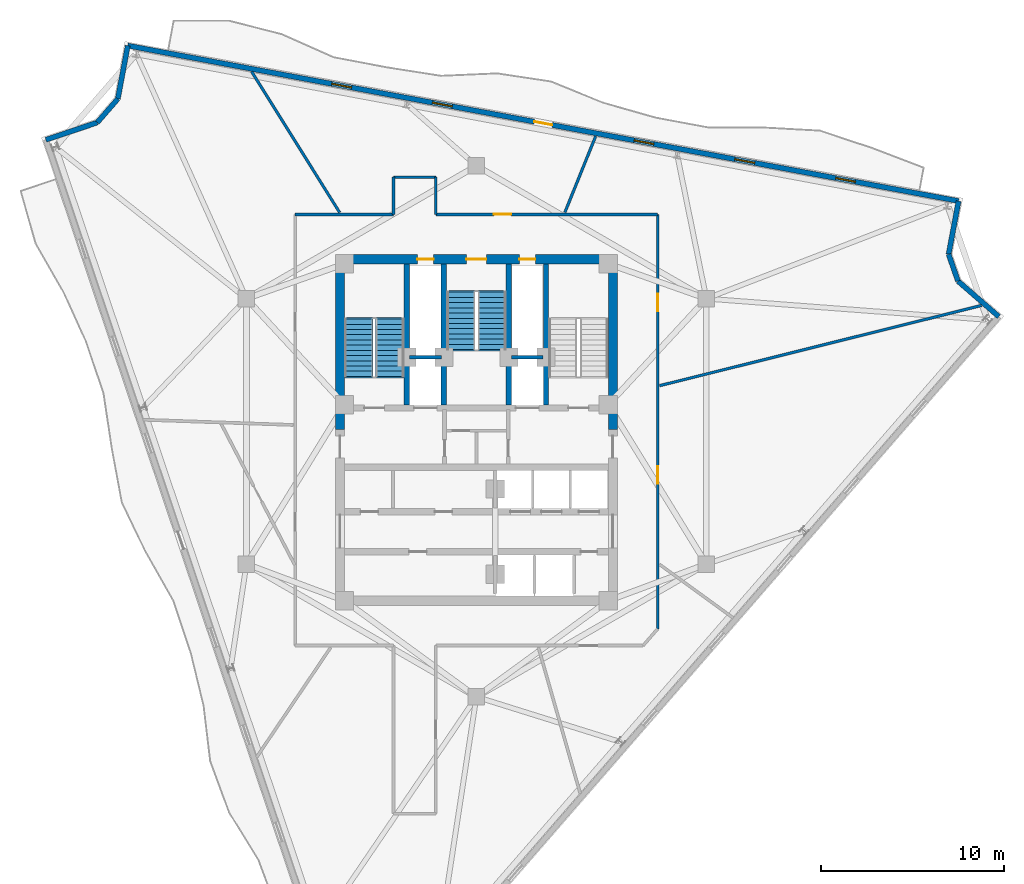
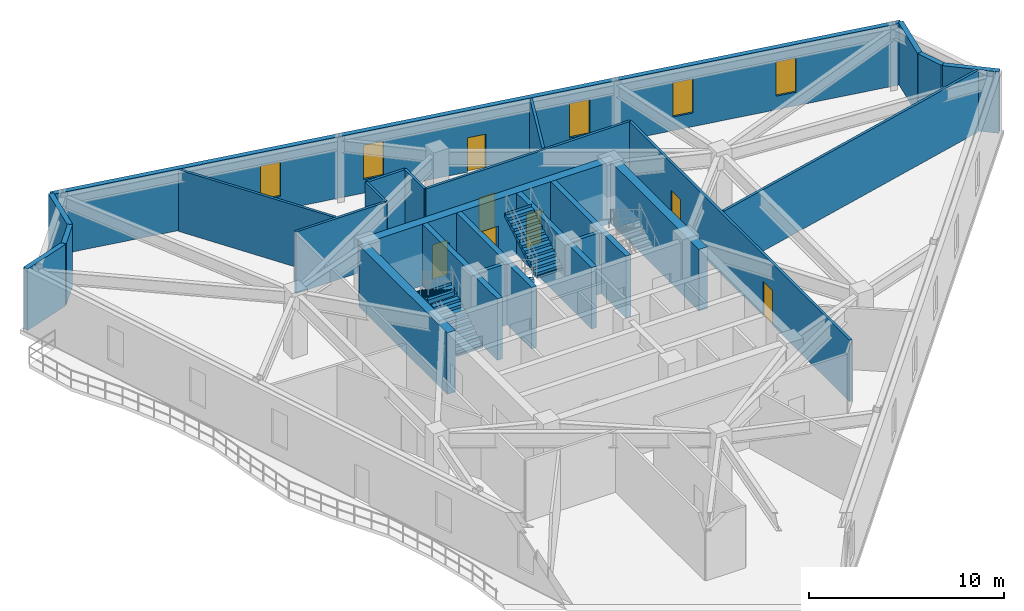
# One storey, part 6 of 9: 25 walls, 7 doors, 5 windows, 4 stair flights, 12 openings, 2 elements without a shape of their own.
"""IFC4 building model written with IfcOpenShell, lengths in metres."""

from ifc_helpers import new_model, si_unit, direction, frame, frame_2d, origin, place, context, subcontext, project, spatial, polyline, rectangle, outline, extrude, material, layer, layer_set, type_object, element, fill, aggregate, save


model = new_model("IFC4")

# Units and contexts
model_context = context("Model", 3, precision=1e-05, world=origin(), true_north=direction((0.0, 1.0)))
body_context = subcontext(model_context, "Body", "Model", "MODEL_VIEW")
ifc_project = project(units=[si_unit("LENGTHUNIT", "METRE"), si_unit("AREAUNIT", "SQUARE_METRE"), si_unit("VOLUMEUNIT", "CUBIC_METRE"), si_unit("PLANEANGLEUNIT", "RADIAN"), si_unit("MASSUNIT", "GRAM", prefix="KILO")], contexts=[model_context])

# Site, building, storey
site_placement = place(None, origin())
site = spatial("IfcSite", under=ifc_project, at=site_placement, CompositionType="ELEMENT")
building_placement = place(site_placement, origin())
building = spatial("IfcBuilding", under=site, at=building_placement, Name="Apsidion Concourse Tower", CompositionType="ELEMENT")
storey_placement = place(building_placement, frame((0.0, 0.0, 277.800048828125)))
storey = spatial("IfcBuildingStorey", under=building, at=storey_placement, Name="L65", CompositionType="ELEMENT", Elevation=277.800048828125)

# Wall, openings, door, windows
ifc_material_1 = material(Name="Precast concrete C40/50", Category="concrete")
ifc_layer_1 = layer(ifc_material_1, 0.280029296875)
ifc_layer_set_1 = layer_set([ifc_layer_1], Name="Precast concrete C40/50")
wall_type_1 = type_object("IfcWallType", Name="WL-EXT-280", PredefinedType="STANDARD", material=ifc_layer_set_1)
wall_1_placement = place(storey_placement, frame((-19.04150390625, 21.06640625, 0.0), z_axis=(0.0, 0.0, 1.0), x_axis=(0.982948140881, -0.183882985453, 0.0)))
wall_1 = element("IfcWall", 1, at=wall_1_placement, inside=storey, type_object=wall_type_1, Name="L65 Precast Stone Facade Wall 01", PredefinedType="STANDARD", context=body_context, shape_type="SweptSolid", body=[
    extrude(rectangle(XDim=46.16259765625, YDim=0.280029296875, at=frame_2d((23.081298828125, 0.0))), origin(), (0.0, 0.0, 1.0), 3.849853515625),
])
opening_1_placement = place(wall_1_placement, frame((22.581298828125, 0.0, 0.0)))
opening_1 = element("IfcOpeningElement", 2, at=opening_1_placement, cuts=wall_1, Name="Opening D-T1R", PredefinedType="OPENING", context=body_context, shape_type="SweptSolid", body=[
    extrude(rectangle(XDim=1.0, YDim=2.14990234375, at=frame_2d((0.5, 1.074951171875))), frame((0.0, 0.14990234375, 0.0), z_axis=(0.0, -1.0, 0.0), x_axis=(1.0, 0.0, 0.0)), (0.0, 0.0, 1.0), 0.300048828125),
])
opening_2_placement = place(wall_1_placement, frame((11.331298828125, 0.0, 0.85009765625)))
opening_2 = element("IfcOpeningElement", 3, at=opening_2_placement, cuts=wall_1, Name="Opening WN-07", PredefinedType="OPENING", context=body_context, shape_type="SweptSolid", body=[
    extrude(rectangle(XDim=1.10009765625, YDim=2.14990234375, at=frame_2d((0.550048828125, 1.074951171875))), frame((0.0, 0.14990234375, 0.0), z_axis=(0.0, -1.0, 0.0), x_axis=(1.0, 0.0, 0.0)), (0.0, 0.0, 1.0), 0.300048828125),
])
opening_3_placement = place(wall_1_placement, frame((16.931396484375, 0.0, 0.85009765625)))
opening_3 = element("IfcOpeningElement", 4, at=opening_3_placement, cuts=wall_1, Name="Opening WN-07", PredefinedType="OPENING", context=body_context, shape_type="SweptSolid", body=[
    extrude(rectangle(XDim=1.10009765625, YDim=2.14990234375, at=frame_2d((0.550048828125, 1.074951171875))), frame((0.0, 0.14990234375, 0.0), z_axis=(0.0, -1.0, 0.0), x_axis=(1.0, 0.0, 0.0)), (0.0, 0.0, 1.0), 0.300048828125),
])
opening_4_placement = place(wall_1_placement, frame((28.13134765625, 0.0, 0.85009765625)))
opening_4 = element("IfcOpeningElement", 5, at=opening_4_placement, cuts=wall_1, Name="Opening WN-07", PredefinedType="OPENING", context=body_context, shape_type="SweptSolid", body=[
    extrude(rectangle(XDim=1.10009765625, YDim=2.14990234375, at=frame_2d((0.550048828125, 1.074951171875))), frame((0.0, 0.14990234375, 0.0), z_axis=(0.0, -1.0, 0.0), x_axis=(1.0, 0.0, 0.0)), (0.0, 0.0, 1.0), 0.300048828125),
])
opening_5_placement = place(wall_1_placement, frame((33.731201171875, 0.0, 0.85009765625)))
opening_5 = element("IfcOpeningElement", 6, at=opening_5_placement, cuts=wall_1, Name="Opening WN-07", PredefinedType="OPENING", context=body_context, shape_type="SweptSolid", body=[
    extrude(rectangle(XDim=1.10009765625, YDim=2.14990234375, at=frame_2d((0.550048828125, 1.074951171875))), frame((0.0, 0.14990234375, 0.0), z_axis=(0.0, -1.0, 0.0), x_axis=(1.0, 0.0, 0.0)), (0.0, 0.0, 1.0), 0.300048828125),
])
opening_6_placement = place(wall_1_placement, frame((39.331298828125, 0.0, 0.85009765625)))
opening_6 = element("IfcOpeningElement", 7, at=opening_6_placement, cuts=wall_1, Name="Opening WN-07", PredefinedType="OPENING", context=body_context, shape_type="SweptSolid", body=[
    extrude(rectangle(XDim=1.10009765625, YDim=2.14990234375, at=frame_2d((0.550048828125, 1.074951171875))), frame((0.0, 0.14990234375, 0.0), z_axis=(0.0, -1.0, 0.0), x_axis=(1.0, 0.0, 0.0)), (0.0, 0.0, 1.0), 0.300048828125),
])
ifc_material_2 = material(Name="Anodised aluminium EN AW-6063 T6", Category="aluminium")
door_type_1 = type_object("IfcDoorType", Name="DR-TER-1022R", OperationType="SINGLE_SWING_RIGHT", PredefinedType="DOOR", material=ifc_material_2)
door_1_placement = place(opening_1_placement, origin())
door_1 = element("IfcDoor", 8, at=door_1_placement, inside=storey, type_object=door_type_1, Name="L65 Balcony Access Door 1", OperationType="SINGLE_SWING_RIGHT", OverallHeight=2.14990234375, OverallWidth=1.0, PredefinedType="DOOR", context=body_context, shape_type="SweptSolid", body=[
    extrude(rectangle(XDim=1.0, YDim=2.14990234375, at=frame_2d((0.5, 1.074951171875))), frame((0.0, 0.02490234375, 0.0), z_axis=(0.0, -1.0, 0.0), x_axis=(1.0, 0.0, 0.0)), (0.0, 0.0, 1.0), 0.050048828125),
])
fill(opening_1, door_1)
ifc_material_3 = material(Name="Insulated laminated low-E glass", Category="glass")
window_type = type_object("IfcWindowType", Name="WN-OFF-1123", PartitioningType="SINGLE_PANEL", PredefinedType="WINDOW", material=ifc_material_3)
window_1_placement = place(opening_2_placement, origin())
window_1 = element("IfcWindow", 9, at=window_1_placement, inside=storey, type_object=window_type, Name="L65 Punched Facade Window 1-02", OverallHeight=2.14990234375, OverallWidth=1.10009765625, PartitioningType="SINGLE_PANEL", PredefinedType="WINDOW", context=body_context, shape_type="SweptSolid", body=[
    extrude(rectangle(XDim=1.10009765625, YDim=2.14990234375, at=frame_2d((0.550048828125, 1.074951171875))), frame((0.0, 0.030029296875, 0.0), z_axis=(0.0, -1.0, 0.0), x_axis=(1.0, 0.0, 0.0)), (0.0, 0.0, 1.0), 0.06005859375),
])
fill(opening_2, window_1)
window_2_placement = place(opening_3_placement, origin())
window_2 = element("IfcWindow", 10, at=window_2_placement, inside=storey, type_object=window_type, Name="L65 Punched Facade Window 1-03", OverallHeight=2.14990234375, OverallWidth=1.10009765625, PartitioningType="SINGLE_PANEL", PredefinedType="WINDOW", context=body_context, shape_type="SweptSolid", body=[
    extrude(rectangle(XDim=1.10009765625, YDim=2.14990234375, at=frame_2d((0.550048828125, 1.074951171875))), frame((0.0, 0.030029296875, 0.0), z_axis=(0.0, -1.0, 0.0), x_axis=(1.0, 0.0, 0.0)), (0.0, 0.0, 1.0), 0.06005859375),
])
fill(opening_3, window_2)
window_3_placement = place(opening_4_placement, origin())
window_3 = element("IfcWindow", 11, at=window_3_placement, inside=storey, type_object=window_type, Name="L65 Punched Facade Window 1-05", OverallHeight=2.14990234375, OverallWidth=1.10009765625, PartitioningType="SINGLE_PANEL", PredefinedType="WINDOW", context=body_context, shape_type="SweptSolid", body=[
    extrude(rectangle(XDim=1.10009765625, YDim=2.14990234375, at=frame_2d((0.550048828125, 1.074951171875))), frame((0.0, 0.030029296875, 0.0), z_axis=(0.0, -1.0, 0.0), x_axis=(1.0, 0.0, 0.0)), (0.0, 0.0, 1.0), 0.06005859375),
])
fill(opening_4, window_3)
window_4_placement = place(opening_5_placement, origin())
window_4 = element("IfcWindow", 12, at=window_4_placement, inside=storey, type_object=window_type, Name="L65 Punched Facade Window 1-06", OverallHeight=2.14990234375, OverallWidth=1.10009765625, PartitioningType="SINGLE_PANEL", PredefinedType="WINDOW", context=body_context, shape_type="SweptSolid", body=[
    extrude(rectangle(XDim=1.10009765625, YDim=2.14990234375, at=frame_2d((0.550048828125, 1.074951171875))), frame((0.0, 0.030029296875, 0.0), z_axis=(0.0, -1.0, 0.0), x_axis=(1.0, 0.0, 0.0)), (0.0, 0.0, 1.0), 0.06005859375),
])
fill(opening_5, window_4)
window_5_placement = place(opening_6_placement, origin())
window_5 = element("IfcWindow", 13, at=window_5_placement, inside=storey, type_object=window_type, Name="L65 Punched Facade Window 1-07", OverallHeight=2.14990234375, OverallWidth=1.10009765625, PartitioningType="SINGLE_PANEL", PredefinedType="WINDOW", context=body_context, shape_type="SweptSolid", body=[
    extrude(rectangle(XDim=1.10009765625, YDim=2.14990234375, at=frame_2d((0.550048828125, 1.074951171875))), frame((0.0, 0.030029296875, 0.0), z_axis=(0.0, -1.0, 0.0), x_axis=(1.0, 0.0, 0.0)), (0.0, 0.0, 1.0), 0.06005859375),
])
fill(opening_6, window_5)

# Walls
wall_2_placement = place(storey_placement, frame((26.333984375, 12.577880859375, 0.0), z_axis=(0.0, 0.0, 1.0), x_axis=(-0.183929325972, -0.982939470694, 0.0)))
element("IfcWall", 14, at=wall_2_placement, inside=storey, type_object=wall_type_1, Name="L65 Precast Stone Facade Wall 02", PredefinedType="STANDARD", context=body_context, shape_type="SweptSolid", body=[
    extrude(rectangle(XDim=2.95458984375, YDim=0.280029296875, at=frame_2d((1.477294921875, 0.0))), origin(), (0.0, 0.0, 1.0), 3.849853515625),
])
wall_3_placement = place(storey_placement, frame((25.79052734375, 9.673583984375, 0.0), z_axis=(0.0, 0.0, 1.0), x_axis=(0.328922695325, -0.944356850189, 0.0)))
element("IfcWall", 15, at=wall_3_placement, inside=storey, type_object=wall_type_1, Name="L65 Precast Stone Facade Wall 03", PredefinedType="STANDARD", context=body_context, shape_type="SweptSolid", body=[
    extrude(rectangle(XDim=1.55419921875, YDim=0.280029296875, at=frame_2d((0.777099609375, 0.0))), origin(), (0.0, 0.0, 1.0), 3.849853515625),
])
wall_4_placement = place(storey_placement, frame((26.3017578125, 8.205810546875, 0.0), z_axis=(0.0, 0.0, 1.0), x_axis=(0.754717590568, -0.656049814028, 0.0)))
element("IfcWall", 16, at=wall_4_placement, inside=storey, type_object=wall_type_1, Name="L65 Precast Stone Facade Wall 04", PredefinedType="STANDARD", context=body_context, shape_type="SweptSolid", body=[
    extrude(rectangle(XDim=2.954345703125, YDim=0.280029296875, at=frame_2d((1.47705078125, 0.0))), origin(), (0.0, 0.0, 1.0), 3.849853515625),
])
wall_5_placement = place(storey_placement, frame((-23.511474609375, 15.92431640625, 0.0), z_axis=(0.0, 0.0, 1.0), x_axis=(0.9478040536, 0.31885337693, 0.0)))
element("IfcWall", 17, at=wall_5_placement, inside=storey, type_object=wall_type_1, Name="L65 Precast Stone Facade Wall 10", PredefinedType="STANDARD", context=body_context, shape_type="SweptSolid", body=[
    extrude(rectangle(XDim=2.95556640625, YDim=0.280029296875, at=frame_2d((1.477783203125, 0.0))), origin(), (0.0, 0.0, 1.0), 3.849853515625),
])
wall_6_placement = place(storey_placement, frame((-20.710205078125, 16.86669921875, 0.0), z_axis=(0.0, 0.0, 1.0), x_axis=(0.656062411204, 0.754706640096, 0.0)))
element("IfcWall", 18, at=wall_6_placement, inside=storey, type_object=wall_type_1, Name="L65 Precast Stone Facade Wall 11", PredefinedType="STANDARD", context=body_context, shape_type="SweptSolid", body=[
    extrude(rectangle(XDim=1.715087890625, YDim=0.280029296875, at=frame_2d((0.857421875, 0.0))), origin(), (0.0, 0.0, 1.0), 3.849853515625),
])
wall_7_placement = place(storey_placement, frame((-19.5849609375, 18.1611328125, 0.0), z_axis=(0.0, 0.0, 1.0), x_axis=(0.183869591509, 0.982950646431, 0.0)))
element("IfcWall", 19, at=wall_7_placement, inside=storey, type_object=wall_type_1, Name="L65 Precast Stone Facade Wall 12", PredefinedType="STANDARD", context=body_context, shape_type="SweptSolid", body=[
    extrude(rectangle(XDim=2.95556640625, YDim=0.280029296875, at=frame_2d((1.477783203125, 0.0))), origin(), (0.0, 0.0, 1.0), 3.849853515625),
])
ifc_material_4 = material(Name="Gypsum plasterboard partition")
ifc_layer_2 = layer(ifc_material_4, 0.14990234375)
ifc_layer_set_2 = layer_set([ifc_layer_2], Name="Gypsum plasterboard partition")
wall_type_2 = type_object("IfcWallType", Name="WL-INT-PAR-150", PredefinedType="PARTITIONING", material=ifc_layer_set_2)
wall_8_placement = place(storey_placement, frame((-9.89990234375, 11.85009765625, 0.0), z_axis=(0.0, 0.0, 1.0), x_axis=(1.0, 0.0, 0.0)))
element("IfcWall", 20, at=wall_8_placement, inside=storey, type_object=wall_type_2, Name="L65 Interior Partition WL-L65-CORR-03", PredefinedType="PARTITIONING", context=body_context, shape_type="SweptSolid", body=[
    extrude(rectangle(XDim=5.369873046875, YDim=0.14990234375, at=frame_2d((2.68505859375, 0.0))), origin(), (0.0, 0.0, 1.0), 3.849853515625),
])
wall_9_placement = place(storey_placement, frame((-4.530029296875, 11.85009765625, 0.0), z_axis=(0.0, 0.0, 1.0), x_axis=(0.0, 1.0, 0.0)))
element("IfcWall", 21, at=wall_9_placement, inside=storey, type_object=wall_type_2, Name="L65 Interior Partition WL-L65-CORR-04", PredefinedType="PARTITIONING", context=body_context, shape_type="SweptSolid", body=[
    extrude(rectangle(XDim=2.02978515625, YDim=0.14990234375, at=frame_2d((1.014892578125, 0.0))), origin(), (0.0, 0.0, 1.0), 3.849853515625),
])
wall_10_placement = place(storey_placement, frame((-4.530029296875, 13.8798828125, 0.0), z_axis=(0.0, 0.0, 1.0), x_axis=(1.0, 0.0, 0.0)))
element("IfcWall", 22, at=wall_10_placement, inside=storey, type_object=wall_type_2, Name="L65 Interior Partition WL-L65-CORR-05", PredefinedType="PARTITIONING", context=body_context, shape_type="SweptSolid", body=[
    extrude(rectangle(XDim=2.31005859375, YDim=0.14990234375, at=frame_2d((1.155029296875, 0.0))), origin(), (0.0, 0.0, 1.0), 3.849853515625),
])
wall_11_placement = place(storey_placement, frame((-2.219970703125, 13.8798828125, 0.0), z_axis=(0.0, 0.0, 1.0), x_axis=(0.0, -1.0, 0.0)))
element("IfcWall", 23, at=wall_11_placement, inside=storey, type_object=wall_type_2, Name="L65 Interior Partition WL-L65-CORR-06", PredefinedType="PARTITIONING", context=body_context, shape_type="SweptSolid", body=[
    extrude(rectangle(XDim=2.02978515625, YDim=0.14990234375, at=frame_2d((1.014892578125, 0.0))), origin(), (0.0, 0.0, 1.0), 3.849853515625),
])

# Wall, opening, door
wall_12_placement = place(storey_placement, frame((-2.219970703125, 11.85009765625, 0.0), z_axis=(0.0, 0.0, 1.0), x_axis=(1.0, 0.0, 0.0)))
wall_12 = element("IfcWall", 24, at=wall_12_placement, inside=storey, type_object=wall_type_2, Name="L65 Interior Partition WL-L65-CORR-07", PredefinedType="PARTITIONING", context=body_context, shape_type="SweptSolid", body=[
    extrude(rectangle(XDim=12.119873046875, YDim=0.14990234375, at=frame_2d((6.06005859375, 0.0))), origin(), (0.0, 0.0, 1.0), 3.849853515625),
])
opening_7_placement = place(wall_12_placement, frame((3.171875, 0.0, 0.0)))
opening_7 = element("IfcOpeningElement", 25, at=opening_7_placement, cuts=wall_12, Name="Opening D-01R", PredefinedType="OPENING", context=body_context, shape_type="SweptSolid", body=[
    extrude(rectangle(XDim=0.949951171875, YDim=2.14990234375, at=frame_2d((0.47509765625, 1.074951171875))), frame((0.0, 0.0849609375, 0.0), z_axis=(0.0, -1.0, 0.0), x_axis=(1.0, 0.0, 0.0)), (0.0, 0.0, 1.0), 0.169921875),
])
ifc_material_5 = material(Name="Brushed stainless steel 316", Category="steel")
door_type_2 = type_object("IfcDoorType", Name="DR-INT-D01R", OperationType="SINGLE_SWING_RIGHT", PredefinedType="DOOR", material=ifc_material_5)
door_2_placement = place(opening_7_placement, origin())
door_2 = element("IfcDoor", 26, at=door_2_placement, inside=storey, type_object=door_type_2, Name="L65 Corridor Entry Door 06", OperationType="SINGLE_SWING_RIGHT", OverallHeight=2.14990234375, OverallWidth=0.949951171875, PredefinedType="DOOR", context=body_context, shape_type="SweptSolid", body=[
    extrude(rectangle(XDim=0.949951171875, YDim=2.14990234375, at=frame_2d((0.47509765625, 1.074951171875))), frame((0.0, 0.02490234375, 0.0), z_axis=(0.0, -1.0, 0.0), x_axis=(1.0, 0.0, 0.0)), (0.0, 0.0, 1.0), 0.050048828125),
])
fill(opening_7, door_2)

# Wall, openings, doors
wall_13_placement = place(storey_placement, frame((9.89990234375, 11.85009765625, 0.0), z_axis=(0.0, 0.0, 1.0), x_axis=(0.0, -1.0, 0.0)))
wall_13 = element("IfcWall", 27, at=wall_13_placement, inside=storey, type_object=wall_type_2, Name="L65 Interior Partition WL-L65-CORR-08", PredefinedType="PARTITIONING", context=body_context, shape_type="SweptSolid", body=[
    extrude(rectangle(XDim=22.633544921875, YDim=0.14990234375, at=frame_2d((11.31689453125, 0.0))), origin(), (0.0, 0.0, 1.0), 3.849853515625),
])
opening_8_placement = place(wall_13_placement, frame((13.763671875, 0.0, 0.0)))
opening_8 = element("IfcOpeningElement", 28, at=opening_8_placement, cuts=wall_13, Name="Opening D-01R", PredefinedType="OPENING", context=body_context, shape_type="SweptSolid", body=[
    extrude(rectangle(XDim=0.949951171875, YDim=2.14990234375, at=frame_2d((0.47509765625, 1.074951171875))), frame((0.0, 0.0849609375, 0.0), z_axis=(0.0, -1.0, 0.0), x_axis=(1.0, 0.0, 0.0)), (0.0, 0.0, 1.0), 0.169921875),
])
opening_9_placement = place(wall_13_placement, frame((4.33251953125, 0.0, 0.0)))
opening_9 = element("IfcOpeningElement", 29, at=opening_9_placement, cuts=wall_13, Name="Opening D-01L", PredefinedType="OPENING", context=body_context, shape_type="SweptSolid", body=[
    extrude(rectangle(XDim=0.949951171875, YDim=2.14990234375, at=frame_2d((0.47509765625, 1.074951171875))), frame((0.0, 0.0849609375, 0.0), z_axis=(0.0, -1.0, 0.0), x_axis=(1.0, 0.0, 0.0)), (0.0, 0.0, 1.0), 0.169921875),
])
door_type_3 = type_object("IfcDoorType", Name="DR-INT-D01L", OperationType="SINGLE_SWING_LEFT", PredefinedType="DOOR", material=ifc_material_5)
door_3_placement = place(opening_9_placement, origin())
door_3 = element("IfcDoor", 30, at=door_3_placement, inside=storey, type_object=door_type_3, Name="L65 Corridor Entry Door 05", OperationType="SINGLE_SWING_LEFT", OverallHeight=2.14990234375, OverallWidth=0.949951171875, PredefinedType="DOOR", context=body_context, shape_type="SweptSolid", body=[
    extrude(rectangle(XDim=0.949951171875, YDim=2.14990234375, at=frame_2d((0.47509765625, 1.074951171875))), frame((0.0, 0.02490234375, 0.0), z_axis=(0.0, -1.0, 0.0), x_axis=(1.0, 0.0, 0.0)), (0.0, 0.0, 1.0), 0.050048828125),
])
fill(opening_9, door_3)
door_4_placement = place(opening_8_placement, origin())
door_4 = element("IfcDoor", 31, at=door_4_placement, inside=storey, type_object=door_type_2, Name="L65 Corridor Entry Door 04", OperationType="SINGLE_SWING_RIGHT", OverallHeight=2.14990234375, OverallWidth=0.949951171875, PredefinedType="DOOR", context=body_context, shape_type="SweptSolid", body=[
    extrude(rectangle(XDim=0.949951171875, YDim=2.14990234375, at=frame_2d((0.47509765625, 1.074951171875))), frame((0.0, 0.02490234375, 0.0), z_axis=(0.0, -1.0, 0.0), x_axis=(1.0, 0.0, 0.0)), (0.0, 0.0, 1.0), 0.050048828125),
])
fill(opening_8, door_4)

# Walls
wall_14_placement = place(storey_placement, frame((10.0048828125, 2.494384765625, 0.0), z_axis=(0.0, 0.0, 1.0), x_axis=(0.970293647919, 0.24193023128, 0.0)))
element("IfcWall", 32, at=wall_14_placement, inside=storey, type_object=wall_type_2, Name="L65 Interior Partition WL-L65-RAD-01-1", PredefinedType="PARTITIONING", context=body_context, shape_type="SweptSolid", body=[
    extrude(rectangle(XDim=18.125, YDim=0.14990234375, at=frame_2d((9.0625, 0.0))), origin(), (0.0, 0.0, 1.0), 3.849853515625),
])
wall_15_placement = place(storey_placement, frame((4.830078125, 11.955078125, 0.0), z_axis=(0.0, 0.0, 1.0), x_axis=(0.374643331919, 0.927169010401, 0.0)))
element("IfcWall", 33, at=wall_15_placement, inside=storey, type_object=wall_type_2, Name="L65 Interior Partition WL-L65-RAD-02-1", PredefinedType="PARTITIONING", context=body_context, shape_type="SweptSolid", body=[
    extrude(rectangle(XDim=4.50048828125, YDim=0.14990234375, at=frame_2d((2.250244140625, 0.0))), origin(), (0.0, 0.0, 1.0), 3.849853515625),
])
wall_16_placement = place(storey_placement, frame((-7.47021484375, 11.955078125, 0.0), z_axis=(0.0, 0.0, 1.0), x_axis=(-0.529940838279, 0.848034614815, 0.0)))
element("IfcWall", 34, at=wall_16_placement, inside=storey, type_object=wall_type_2, Name="L65 Interior Partition WL-L65-RAD-03-1", PredefinedType="PARTITIONING", context=body_context, shape_type="SweptSolid", body=[
    extrude(rectangle(XDim=9.065185546875, YDim=0.14990234375, at=frame_2d((4.53271484375, 0.0))), origin(), (0.0, 0.0, 1.0), 3.849853515625),
])
ifc_layer_3 = layer(ifc_material_4, 0.199951171875)
ifc_layer_set_3 = layer_set([ifc_layer_3], Name="Gypsum plasterboard partition")
wall_type_3 = type_object("IfcWallType", Name="WL-INT-PAR-200", PredefinedType="PARTITIONING", material=ifc_layer_set_3)
for number, where, z_axis, x_axis, name in (
    (35, (-3.64990234375, 4.050048828125, 0.0), (0.0, 0.0, 1.0), (1.0, 0.0, 0.0), "L65 Interior Partition WL-L65-FF1-N"),
    (36, (1.919921875, 4.050048828125, 0.0), (0.0, 0.0, 1.0), (1.0, 0.0, 0.0), "L65 Interior Partition WL-L65-FF2-N"),
):
    element("IfcWall", number, at=place(storey_placement, frame(where, z_axis=z_axis, x_axis=x_axis)), inside=storey, type_object=wall_type_3, Name=name, PredefinedType="PARTITIONING", context=body_context, shape_type="SweptSolid", body=[
        extrude(rectangle(XDim=1.72998046875, YDim=0.199951171875, at=frame_2d((0.864990234375, 0.0))), origin(), (0.0, 0.0, 1.0), 3.849853515625),
    ])
ifc_material_6 = material(Name="Concrete C50/60", Category="concrete")
ifc_layer_4 = layer(ifc_material_6, 0.300048828125)
ifc_layer_set_4 = layer_set([ifc_layer_4], Name="Concrete C50/60")
wall_type_4 = type_object("IfcWallType", Name="WL-SH-300", PredefinedType="SHEAR", material=ifc_layer_set_4)
for number, where, z_axis, x_axis, name in (
    (37, (-3.800048828125, 1.449951171875, 0.0), (0.0, 0.0, 1.0), (0.0, 1.0, 0.0), "L65 Central Core Shear Wall V1"),
    (38, (-1.77490234375, 1.449951171875, 0.0), (0.0, 0.0, 1.0), (0.0, 1.0, 0.0), "L65 Central Core Shear Wall V2"),
    (39, (1.77490234375, 1.449951171875, 0.0), (0.0, 0.0, 1.0), (0.0, 1.0, 0.0), "L65 Central Core Shear Wall V3"),
    (40, (3.800048828125, 1.449951171875, 0.0), (0.0, 0.0, 1.0), (0.0, 1.0, 0.0), "L65 Central Core Shear Wall V4"),
):
    element("IfcWall", number, at=place(storey_placement, frame(where, z_axis=z_axis, x_axis=x_axis)), inside=storey, type_object=wall_type_4, Name=name, PredefinedType="SHEAR", context=body_context, shape_type="SweptSolid", body=[
        extrude(rectangle(XDim=7.699951171875, YDim=0.300048828125, at=frame_2d((3.85009765625, 0.0))), origin(), (0.0, 0.0, 1.0), 3.849853515625),
    ])

# Wall, openings, doors
ifc_layer_5 = layer(ifc_material_6, 0.5)
ifc_layer_set_5 = layer_set([ifc_layer_5], Name="Concrete C50/60")
wall_type_5 = type_object("IfcWallType", Name="WL-SH-500", PredefinedType="SHEAR", material=ifc_layer_set_5)
wall_17_placement = place(storey_placement, frame((-7.449951171875, 9.39990234375, 0.0), z_axis=(0.0, 0.0, 1.0), x_axis=(1.0, 0.0, 0.0)))
wall_17 = element("IfcWall", 41, at=wall_17_placement, inside=storey, type_object=wall_type_5, Name="L65 Central Core Shear Wall N", PredefinedType="SHEAR", context=body_context, shape_type="SweptSolid", body=[
    extrude(rectangle(XDim=14.89990234375, YDim=0.5, at=frame_2d((7.449951171875, 0.0))), origin(), (0.0, 0.0, 1.0), 3.849853515625),
])
opening_10_placement = place(wall_17_placement, frame((6.89990234375, 0.0, 0.0)))
opening_10 = element("IfcOpeningElement", 42, at=opening_10_placement, cuts=wall_17, Name="Opening D-STL", PredefinedType="OPENING", context=body_context, shape_type="SweptSolid", body=[
    extrude(rectangle(XDim=1.10009765625, YDim=2.14990234375, at=frame_2d((0.550048828125, 1.074951171875))), frame((0.0, 0.260009765625, 0.0), z_axis=(0.0, -1.0, 0.0), x_axis=(1.0, 0.0, 0.0)), (0.0, 0.0, 1.0), 0.52001953125),
])
opening_11_placement = place(wall_17_placement, frame((4.22998046875, 0.0, 0.0)))
opening_11 = element("IfcOpeningElement", 43, at=opening_11_placement, cuts=wall_17, Name="Opening D-05L", PredefinedType="OPENING", context=body_context, shape_type="SweptSolid", body=[
    extrude(rectangle(XDim=0.8798828125, YDim=2.14990234375, at=frame_2d((0.43994140625, 1.074951171875))), frame((0.0, 0.260009765625, 0.0), z_axis=(0.0, -1.0, 0.0), x_axis=(1.0, 0.0, 0.0)), (0.0, 0.0, 1.0), 0.52001953125),
])
opening_12_placement = place(wall_17_placement, frame((9.7900390625, 0.0, 0.0)))
opening_12 = element("IfcOpeningElement", 44, at=opening_12_placement, cuts=wall_17, Name="Opening D-05R", PredefinedType="OPENING", context=body_context, shape_type="SweptSolid", body=[
    extrude(rectangle(XDim=0.8798828125, YDim=2.14990234375, at=frame_2d((0.43994140625, 1.074951171875))), frame((0.0, 0.260009765625, 0.0), z_axis=(0.0, -1.0, 0.0), x_axis=(1.0, 0.0, 0.0)), (0.0, 0.0, 1.0), 0.52001953125),
])
door_type_4 = type_object("IfcDoorType", Name="DR-INT-D05L", OperationType="SINGLE_SWING_LEFT", PredefinedType="DOOR", material=ifc_material_5)
door_5_placement = place(opening_11_placement, origin())
door_5 = element("IfcDoor", 45, at=door_5_placement, inside=storey, type_object=door_type_4, Name="L65 Electrical Riser Shaft Access Door", OperationType="SINGLE_SWING_LEFT", OverallHeight=2.14990234375, OverallWidth=0.8798828125, PredefinedType="DOOR", context=body_context, shape_type="SweptSolid", body=[
    extrude(rectangle(XDim=0.8798828125, YDim=2.14990234375, at=frame_2d((0.43994140625, 1.074951171875))), frame((0.0, 0.02490234375, 0.0), z_axis=(0.0, -1.0, 0.0), x_axis=(1.0, 0.0, 0.0)), (0.0, 0.0, 1.0), 0.050048828125),
])
fill(opening_11, door_5)
door_type_5 = type_object("IfcDoorType", Name="DR-INT-D05R", OperationType="SINGLE_SWING_RIGHT", PredefinedType="DOOR", material=ifc_material_5)
door_6_placement = place(opening_12_placement, origin())
door_6 = element("IfcDoor", 46, at=door_6_placement, inside=storey, type_object=door_type_5, Name="L65 Mechanical Riser Shaft Access Door", OperationType="SINGLE_SWING_RIGHT", OverallHeight=2.14990234375, OverallWidth=0.8798828125, PredefinedType="DOOR", context=body_context, shape_type="SweptSolid", body=[
    extrude(rectangle(XDim=0.8798828125, YDim=2.14990234375, at=frame_2d((0.43994140625, 1.074951171875))), frame((0.0, 0.02490234375, 0.0), z_axis=(0.0, -1.0, 0.0), x_axis=(1.0, 0.0, 0.0)), (0.0, 0.0, 1.0), 0.050048828125),
])
fill(opening_12, door_6)
door_type_6 = type_object("IfcDoorType", Name="DR-INT-ST1L", OperationType="SINGLE_SWING_LEFT", PredefinedType="DOOR", material=ifc_material_5)
door_7_placement = place(opening_10_placement, origin())
door_7 = element("IfcDoor", 47, at=door_7_placement, inside=storey, type_object=door_type_6, Name="L65 Core Exit Stair ST3 Door", OperationType="SINGLE_SWING_LEFT", OverallHeight=2.14990234375, OverallWidth=1.10009765625, PredefinedType="DOOR", context=body_context, shape_type="SweptSolid", body=[
    extrude(rectangle(XDim=1.10009765625, YDim=2.14990234375, at=frame_2d((0.550048828125, 1.074951171875))), frame((0.0, 0.02490234375, 0.0), z_axis=(0.0, -1.0, 0.0), x_axis=(1.0, 0.0, 0.0)), (0.0, 0.0, 1.0), 0.050048828125),
])
fill(opening_10, door_7)

# Walls
for number, where, z_axis, x_axis, name in (
    (48, (-7.449951171875, 0.10009765625, 0.0), (0.0, 0.0, 1.0), (0.0, 1.0, 0.0), "L65 Central Core Shear Wall WN"),
    (49, (7.449951171875, 0.10009765625, 0.0), (0.0, 0.0, 1.0), (0.0, 1.0, 0.0), "L65 Central Core Shear Wall EN"),
):
    element("IfcWall", number, at=place(storey_placement, frame(where, z_axis=z_axis, x_axis=x_axis)), inside=storey, type_object=wall_type_5, Name=name, PredefinedType="SHEAR", context=body_context, shape_type="SweptSolid", body=[
        extrude(rectangle(XDim=9.0498046875, YDim=0.5, at=frame_2d((4.52490234375, 0.0))), origin(), (0.0, 0.0, 1.0), 3.849853515625),
    ])

# Stair, stair flights
stair_type = type_object("IfcStairType", Name="ST-DL-1550", PredefinedType="HALF_TURN_STAIR", material=ifc_material_1)
stair_1_placement = place(storey_placement, origin())
stair_1 = element("IfcStair", 50, at=stair_1_placement, inside=storey, type_object=stair_type, Name="L65 Protected Core Exit Stair ST1", PredefinedType="HALF_TURN_STAIR")
stair_flight_type = type_object("IfcStairFlightType", Name="SFL-RC-1550", PredefinedType="STRAIGHT", material=ifc_material_1)
stair_flight_1_placement = place(storey_placement, frame((-4.72509765625, 3.0, 0.0), z_axis=(0.0, 0.0, 1.0), x_axis=(0.0, 1.0, 0.0)))
stair_flight_1 = element("IfcStairFlight", 51, at=stair_flight_1_placement, type_object=stair_flight_type, Name="ST1 flight 1", NumberOfRisers=12, NumberOfTreads=11, PredefinedType="STRAIGHT", RiserHeight=0.170833333, TreadLength=0.285, context=body_context, shape_type="SweptSolid", body=[
    extrude(outline(polyline([(-0.080078125, -0.1123046875), (-0.080078125, 0.0), (0.0, 0.0), (0.0, 0.1708984375), (0.284912109375, 0.1708984375), (0.284912109375, 0.341552734375), (0.570068359375, 0.341552734375), (0.570068359375, 0.512451171875), (0.85498046875, 0.512451171875), (0.85498046875, 0.683349609375), (1.139892578125, 0.683349609375), (1.139892578125, 0.854248046875), (1.425048828125, 0.854248046875), (1.425048828125, 1.02490234375), (1.7099609375, 1.02490234375), (1.7099609375, 1.19580078125), (1.9951171875, 1.19580078125), (1.9951171875, 1.36669921875), (2.280029296875, 1.36669921875), (2.280029296875, 1.53759765625), (2.56494140625, 1.53759765625), (2.56494140625, 1.708251953125), (2.85009765625, 1.708251953125), (2.85009765625, 1.879150390625), (3.135009765625, 1.879150390625), (3.135009765625, 2.050048828125), (3.215087890625, 1.964599609375), (3.215087890625, 1.704345703125), (3.135009765625, 1.704345703125), (0.29150390625, 0.0), (0.29150390625, -0.1123046875), (-0.080078125, -0.1123046875)])), frame((0.0, 0.77490234375, 0.0), z_axis=(0.0, -1.0, 0.0), x_axis=(1.0, 0.0, 0.0)), (0.0, 0.0, 1.0), 1.550048828125),
])
stair_flight_2_placement = place(storey_placement, frame((-6.425048828125, 6.135009765625, 2.050048828125), z_axis=(0.0, 0.0, 1.0), x_axis=(0.0, -1.0, 0.0)))
stair_flight_2 = element("IfcStairFlight", 52, at=stair_flight_2_placement, type_object=stair_flight_type, Name="ST1 flight 2", NumberOfRisers=12, NumberOfTreads=11, PredefinedType="STRAIGHT", RiserHeight=0.170833333, TreadLength=0.285, context=body_context, shape_type="SweptSolid", body=[
    extrude(outline(polyline([(-0.080078125, -0.1123046875), (-0.080078125, 0.0), (0.0, 0.0), (0.0, 0.1708984375), (0.284912109375, 0.1708984375), (0.284912109375, 0.341552734375), (0.570068359375, 0.341552734375), (0.570068359375, 0.512451171875), (0.85498046875, 0.512451171875), (0.85498046875, 0.683349609375), (1.139892578125, 0.683349609375), (1.139892578125, 0.854248046875), (1.425048828125, 0.854248046875), (1.425048828125, 1.02490234375), (1.7099609375, 1.02490234375), (1.7099609375, 1.19580078125), (1.9951171875, 1.19580078125), (1.9951171875, 1.36669921875), (2.280029296875, 1.36669921875), (2.280029296875, 1.53759765625), (2.56494140625, 1.53759765625), (2.56494140625, 1.708251953125), (2.85009765625, 1.708251953125), (2.85009765625, 1.879150390625), (3.135009765625, 1.879150390625), (3.135009765625, 2.050048828125), (3.215087890625, 1.964599609375), (3.215087890625, 1.704345703125), (3.135009765625, 1.704345703125), (0.29150390625, 0.0), (0.29150390625, -0.1123046875), (-0.080078125, -0.1123046875)])), frame((0.0, 0.77490234375, 0.0), z_axis=(0.0, -1.0, 0.0), x_axis=(1.0, 0.0, 0.0)), (0.0, 0.0, 1.0), 1.550048828125),
])
aggregate(stair_1, [stair_flight_1, stair_flight_2])

stair_2_placement = place(storey_placement, origin())
stair_2 = element("IfcStair", 53, at=stair_2_placement, inside=storey, type_object=stair_type, Name="L65 Protected Core Exit Stair ST3", PredefinedType="HALF_TURN_STAIR")
stair_flight_3_placement = place(storey_placement, frame((-0.85009765625, 7.60009765625, 0.0), z_axis=(0.0, 0.0, 1.0), x_axis=(0.0, -1.0, 0.0)))
stair_flight_3 = element("IfcStairFlight", 54, at=stair_flight_3_placement, type_object=stair_flight_type, Name="ST3 flight 1", NumberOfRisers=12, NumberOfTreads=11, PredefinedType="STRAIGHT", RiserHeight=0.170833333, TreadLength=0.285, context=body_context, shape_type="SweptSolid", body=[
    extrude(outline(polyline([(-0.080078125, -0.1123046875), (-0.080078125, 0.0), (0.0, 0.0), (0.0, 0.1708984375), (0.284912109375, 0.1708984375), (0.284912109375, 0.341552734375), (0.570068359375, 0.341552734375), (0.570068359375, 0.512451171875), (0.85498046875, 0.512451171875), (0.85498046875, 0.683349609375), (1.139892578125, 0.683349609375), (1.139892578125, 0.854248046875), (1.425048828125, 0.854248046875), (1.425048828125, 1.02490234375), (1.7099609375, 1.02490234375), (1.7099609375, 1.19580078125), (1.9951171875, 1.19580078125), (1.9951171875, 1.36669921875), (2.280029296875, 1.36669921875), (2.280029296875, 1.53759765625), (2.56494140625, 1.53759765625), (2.56494140625, 1.708251953125), (2.85009765625, 1.708251953125), (2.85009765625, 1.879150390625), (3.135009765625, 1.879150390625), (3.135009765625, 2.050048828125), (3.215087890625, 1.964599609375), (3.215087890625, 1.704345703125), (3.135009765625, 1.704345703125), (0.29150390625, 0.0), (0.29150390625, -0.1123046875), (-0.080078125, -0.1123046875)])), frame((0.0, 0.77490234375, 0.0), z_axis=(0.0, -1.0, 0.0), x_axis=(1.0, 0.0, 0.0)), (0.0, 0.0, 1.0), 1.550048828125),
])
stair_flight_4_placement = place(storey_placement, frame((0.85009765625, 4.465087890625, 2.050048828125), z_axis=(0.0, 0.0, 1.0), x_axis=(0.0, 1.0, 0.0)))
stair_flight_4 = element("IfcStairFlight", 55, at=stair_flight_4_placement, type_object=stair_flight_type, Name="ST3 flight 2", NumberOfRisers=12, NumberOfTreads=11, PredefinedType="STRAIGHT", RiserHeight=0.170833333, TreadLength=0.285, context=body_context, shape_type="SweptSolid", body=[
    extrude(outline(polyline([(-0.080078125, -0.1123046875), (-0.080078125, 0.0), (0.0, 0.0), (0.0, 0.1708984375), (0.284912109375, 0.1708984375), (0.284912109375, 0.341552734375), (0.570068359375, 0.341552734375), (0.570068359375, 0.512451171875), (0.85498046875, 0.512451171875), (0.85498046875, 0.683349609375), (1.139892578125, 0.683349609375), (1.139892578125, 0.854248046875), (1.425048828125, 0.854248046875), (1.425048828125, 1.02490234375), (1.7099609375, 1.02490234375), (1.7099609375, 1.19580078125), (1.9951171875, 1.19580078125), (1.9951171875, 1.36669921875), (2.280029296875, 1.36669921875), (2.280029296875, 1.53759765625), (2.56494140625, 1.53759765625), (2.56494140625, 1.708251953125), (2.85009765625, 1.708251953125), (2.85009765625, 1.879150390625), (3.135009765625, 1.879150390625), (3.135009765625, 2.050048828125), (3.215087890625, 1.964599609375), (3.215087890625, 1.704345703125), (3.135009765625, 1.704345703125), (0.29150390625, 0.0), (0.29150390625, -0.1123046875), (-0.080078125, -0.1123046875)])), frame((0.0, 0.77490234375, 0.0), z_axis=(0.0, -1.0, 0.0), x_axis=(1.0, 0.0, 0.0)), (0.0, 0.0, 1.0), 1.550048828125),
])
aggregate(stair_2, [stair_flight_3, stair_flight_4])

save(model, "model.ifc")
